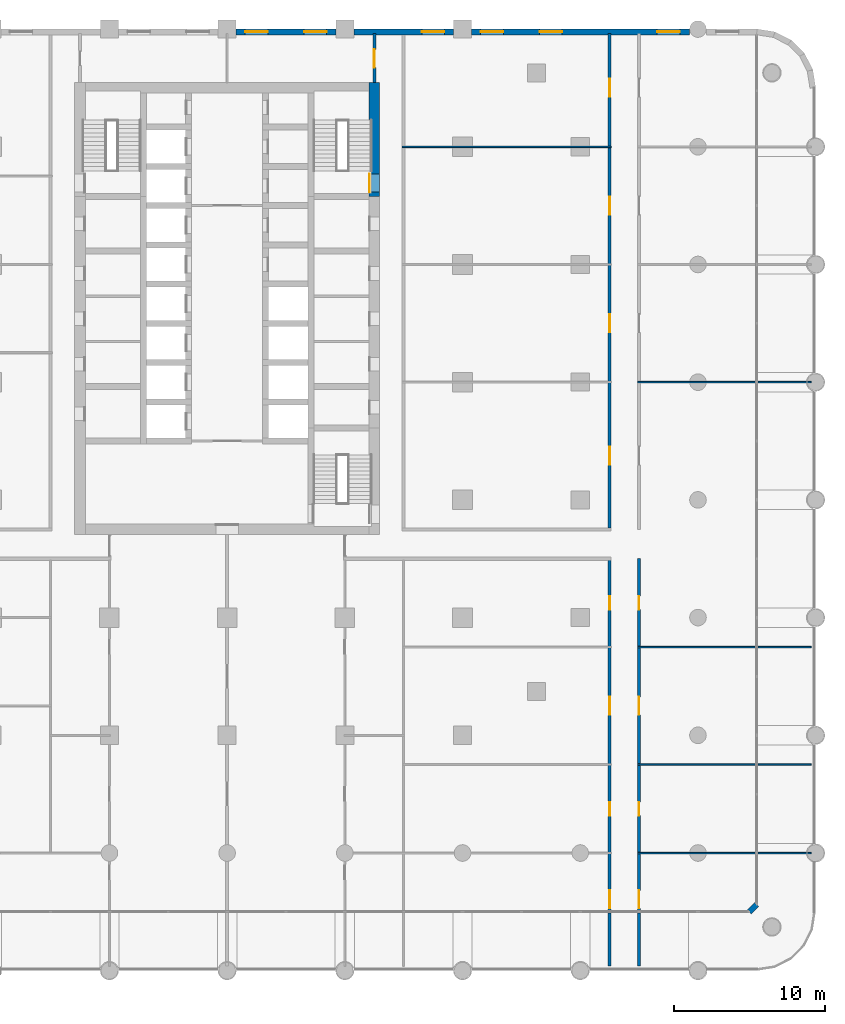
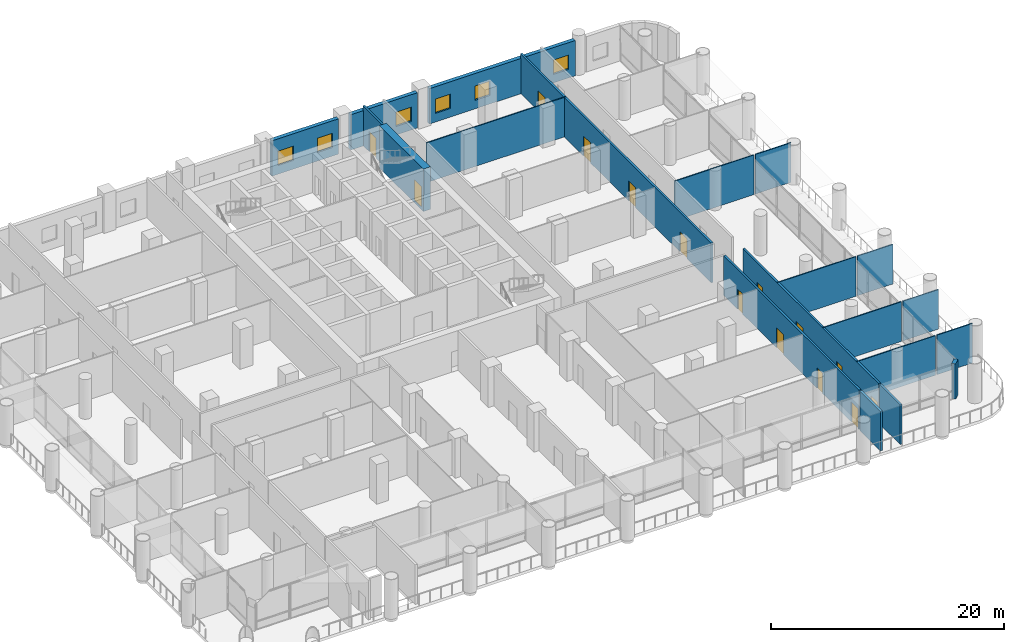
# One storey, part 14 of 23: 20 walls, 14 doors, 6 windows, 20 openings.
"""IFC4 building model written with IfcOpenShell, lengths in metres."""

from ifc_helpers import new_model, si_unit, direction, frame, frame_2d, origin, place, context, subcontext, project, spatial, rectangle, extrude, material, layer, layer_set, type_object, element, fill, save


model = new_model("IFC4")

# Units and contexts
model_context = context("Model", 3, precision=1e-05, world=origin(), true_north=direction((0.0, 1.0)))
body_context = subcontext(model_context, "Body", "Model", "MODEL_VIEW")
ifc_project = project(units=[si_unit("LENGTHUNIT", "METRE"), si_unit("AREAUNIT", "SQUARE_METRE"), si_unit("VOLUMEUNIT", "CUBIC_METRE"), si_unit("PLANEANGLEUNIT", "RADIAN"), si_unit("MASSUNIT", "GRAM", prefix="KILO")], contexts=[model_context])

# Site, building, storey
site_placement = place(None, origin())
site = spatial("IfcSite", under=ifc_project, at=site_placement, CompositionType="ELEMENT")
building_placement = place(site_placement, origin())
building = spatial("IfcBuilding", under=site, at=building_placement, Name="Ludao Terraces", CompositionType="ELEMENT")
storey_placement = place(building_placement, frame((0.0, 0.0, 10.5)))
storey = spatial("IfcBuildingStorey", under=building, at=storey_placement, Name="L02", CompositionType="ELEMENT", Elevation=10.5)

# Wall, opening, door
ifc_material_1 = material(Name="Concrete C70", Category="concrete")
ifc_layer_1 = layer(ifc_material_1, 0.699951171875)
ifc_layer_set_1 = layer_set([ifc_layer_1], Name="Core wall 700 C70")
wall_type_1 = type_object("IfcWallType", Name="Core wall 700 C70", PredefinedType="SOLIDWALL", material=ifc_layer_set_1)
wall_1_placement = place(storey_placement, frame((94.75, 77.300048828125, -0.300048828125), z_axis=(0.0, 0.0, 1.0), x_axis=(0.0, 1.0, 0.0)))
wall_1 = element("IfcWall", 1, at=wall_1_placement, inside=storey, type_object=wall_type_1, Name="Core wall L02 outer-E-S2", PredefinedType="SOLIDWALL", context=body_context, shape_type="SweptSolid", body=[
    extrude(rectangle(XDim=7.550048828125, YDim=0.699951171875, at=frame_2d((3.77490234375, 0.0))), origin(), (0.0, 0.0, 1.0), 4.449951171875),
])
opening_1_placement = place(wall_1_placement, frame((0.300048828125, 0.0, 0.300048828125)))
opening_1 = element("IfcOpeningElement", 2, at=opening_1_placement, cuts=wall_1, Name="Opening L02-065", PredefinedType="OPENING", context=body_context, shape_type="SweptSolid", body=[
    extrude(rectangle(XDim=1.199951171875, YDim=2.10009765625, at=frame_2d((0.60009765625, 1.050048828125))), frame((0.0, 0.35986328125, 0.0), z_axis=(0.0, -1.0, 0.0), x_axis=(1.0, 0.0, 0.0)), (0.0, 0.0, 1.0), 0.719970703125),
])
ifc_material_2 = material(Name="Steel Q235", Category="steel")
door_type_1 = type_object("IfcDoorType", Name="INT Stair door 1200", OperationType="DOUBLE_DOOR_SINGLE_SWING", PredefinedType="DOOR", material=ifc_material_2)
door_1_placement = place(opening_1_placement, origin())
door_1 = element("IfcDoor", 3, at=door_1_placement, inside=storey, type_object=door_type_1, Name="DOOR 065", OperationType="DOUBLE_DOOR_SINGLE_SWING", OverallHeight=2.10009765625, OverallWidth=1.199951171875, PredefinedType="DOOR", context=body_context, shape_type="SweptSolid", body=[
    extrude(rectangle(XDim=1.199951171875, YDim=2.10009765625, at=frame_2d((0.60009765625, 1.050048828125))), frame((0.0, 0.3349609375, 0.0), z_axis=(0.0, -1.0, 0.0), x_axis=(1.0, 0.0, 0.0)), (0.0, 0.0, 1.0), 0.050048828125),
])
fill(opening_1, door_1)

# Wall
ifc_material_3 = material(Name="Granite cladding", Category="masonry")
ifc_layer_2 = layer(ifc_material_3, 0.06005859375, Category="stone")
ifc_material_4 = material(Name="Mineral wool")
ifc_layer_3 = layer(ifc_material_4, 0.06005859375)
ifc_material_5 = material(Name="Concrete C40", Category="concrete")
ifc_layer_4 = layer(ifc_material_5, 0.260009765625, Category="concrete")
ifc_layer_set_2 = layer_set([ifc_layer_2, ifc_layer_3, ifc_layer_4], Name="ENV Stone-clad wall 380")
wall_type_2 = type_object("IfcWallType", Name="ENV Stone-clad wall 380", PredefinedType="SOLIDWALL", material=ifc_layer_set_2)
wall_2_placement = place(storey_placement, frame((119.60009765625, 29.89990234375, 0.0), z_axis=(0.0, 0.0, 1.0), x_axis=(0.707106781187, 0.707106781187, 0.0)))
element("IfcWall", 4, at=wall_2_placement, inside=storey, type_object=wall_type_2, Name="EW-L02-SE", PredefinedType="SOLIDWALL", context=body_context, shape_type="SweptSolid", body=[
    extrude(rectangle(XDim=0.70703125, YDim=0.3798828125, at=frame_2d((0.353515625, 0.0))), origin(), (0.0, 0.0, 1.0), 3.699951171875),
])

# Wall, openings, windows
wall_3_placement = place(storey_placement, frame((85.60009765625, 88.2099609375, 0.0), z_axis=(0.0, 0.0, 1.0), x_axis=(1.0, 0.0, 0.0)))
wall_3 = element("IfcWall", 5, at=wall_3_placement, inside=storey, type_object=wall_type_2, Name="EW-L02-N5", PredefinedType="SOLIDWALL", context=body_context, shape_type="SweptSolid", body=[
    extrude(rectangle(XDim=6.599853515625, YDim=0.3798828125, at=frame_2d((3.2998046875, 0.0))), origin(), (0.0, 0.0, 1.0), 3.699951171875),
])
opening_2_placement = place(wall_3_placement, frame((0.60009765625, 0.0, 0.89990234375)))
opening_2 = element("IfcOpeningElement", 6, at=opening_2_placement, cuts=wall_3, Name="Opening W5", PredefinedType="OPENING", context=body_context, shape_type="SweptSolid", body=[
    extrude(rectangle(XDim=1.5, YDim=1.5, at=frame_2d((0.75, 0.75))), frame((0.0, 0.199951171875, 0.0), z_axis=(0.0, -1.0, 0.0), x_axis=(1.0, 0.0, 0.0)), (0.0, 0.0, 1.0), 0.39990234375),
])
opening_3_placement = place(wall_3_placement, frame((4.5, 0.0, 0.89990234375)))
opening_3 = element("IfcOpeningElement", 7, at=opening_3_placement, cuts=wall_3, Name="Opening W5", PredefinedType="OPENING", context=body_context, shape_type="SweptSolid", body=[
    extrude(rectangle(XDim=1.5, YDim=1.5, at=frame_2d((0.75, 0.75))), frame((0.0, 0.199951171875, 0.0), z_axis=(0.0, -1.0, 0.0), x_axis=(1.0, 0.0, 0.0)), (0.0, 0.0, 1.0), 0.39990234375),
])
ifc_material_6 = material(Name="Clear glass in aluminium frame", Category="aluminium")
ifc_layer_5 = layer(ifc_material_6, 0.06005859375)
ifc_layer_set_3 = layer_set([ifc_layer_5], Name="ENV Window W5 1500x1500")
window_type = type_object("IfcWindowType", Name="ENV Window W5 1500x1500", PartitioningType="SINGLE_PANEL", PredefinedType="WINDOW", material=ifc_layer_set_3)
window_1_placement = place(opening_2_placement, origin())
window_1 = element("IfcWindow", 8, at=window_1_placement, inside=storey, type_object=window_type, Name="W-L02-N5-1", OverallHeight=1.5, OverallWidth=1.5, PartitioningType="SINGLE_PANEL", PredefinedType="WINDOW", context=body_context, shape_type="SweptSolid", body=[
    extrude(rectangle(XDim=1.5, YDim=1.5, at=frame_2d((0.75, 0.75))), frame((0.0, 0.030029296875, 0.0), z_axis=(0.0, -1.0, 0.0), x_axis=(1.0, 0.0, 0.0)), (0.0, 0.0, 1.0), 0.06005859375),
])
fill(opening_2, window_1)
window_2_placement = place(opening_3_placement, origin())
window_2 = element("IfcWindow", 9, at=window_2_placement, inside=storey, type_object=window_type, Name="W-L02-N5-2", OverallHeight=1.5, OverallWidth=1.5, PartitioningType="SINGLE_PANEL", PredefinedType="WINDOW", context=body_context, shape_type="SweptSolid", body=[
    extrude(rectangle(XDim=1.5, YDim=1.5, at=frame_2d((0.75, 0.75))), frame((0.0, 0.030029296875, 0.0), z_axis=(0.0, -1.0, 0.0), x_axis=(1.0, 0.0, 0.0)), (0.0, 0.0, 1.0), 0.06005859375),
])
fill(opening_3, window_2)

# Wall, opening, window
wall_4_placement = place(storey_placement, frame((93.39990234375, 88.2099609375, 0.0), z_axis=(0.0, 0.0, 1.0), x_axis=(1.0, 0.0, 0.0)))
wall_4 = element("IfcWall", 10, at=wall_4_placement, inside=storey, type_object=wall_type_2, Name="EW-L02-N6", PredefinedType="SOLIDWALL", context=body_context, shape_type="SweptSolid", body=[
    extrude(rectangle(XDim=6.60009765625, YDim=0.3798828125, at=frame_2d((3.300048828125, 0.0))), origin(), (0.0, 0.0, 1.0), 3.699951171875),
])
opening_4_placement = place(wall_4_placement, frame((4.5, 0.0, 0.89990234375)))
opening_4 = element("IfcOpeningElement", 11, at=opening_4_placement, cuts=wall_4, Name="Opening W5", PredefinedType="OPENING", context=body_context, shape_type="SweptSolid", body=[
    extrude(rectangle(XDim=1.5, YDim=1.5, at=frame_2d((0.75, 0.75))), frame((0.0, 0.199951171875, 0.0), z_axis=(0.0, -1.0, 0.0), x_axis=(1.0, 0.0, 0.0)), (0.0, 0.0, 1.0), 0.39990234375),
])
window_3_placement = place(opening_4_placement, origin())
window_3 = element("IfcWindow", 12, at=window_3_placement, inside=storey, type_object=window_type, Name="W-L02-N6-1", OverallHeight=1.5, OverallWidth=1.5, PartitioningType="SINGLE_PANEL", PredefinedType="WINDOW", context=body_context, shape_type="SweptSolid", body=[
    extrude(rectangle(XDim=1.5, YDim=1.5, at=frame_2d((0.75, 0.75))), frame((0.0, 0.030029296875, 0.0), z_axis=(0.0, -1.0, 0.0), x_axis=(1.0, 0.0, 0.0)), (0.0, 0.0, 1.0), 0.06005859375),
])
fill(opening_4, window_3)

# Wall, openings, windows
wall_5_placement = place(storey_placement, frame((101.199951171875, 88.2099609375, 0.0), z_axis=(0.0, 0.0, 1.0), x_axis=(1.0, 0.0, 0.0)))
wall_5 = element("IfcWall", 13, at=wall_5_placement, inside=storey, type_object=wall_type_2, Name="EW-L02-N7", PredefinedType="SOLIDWALL", context=body_context, shape_type="SweptSolid", body=[
    extrude(rectangle(XDim=14.449951171875, YDim=0.3798828125, at=frame_2d((7.22509765625, 0.0))), origin(), (0.0, 0.0, 1.0), 3.699951171875),
])
opening_5_placement = place(wall_5_placement, frame((0.60009765625, 0.0, 0.89990234375)))
opening_5 = element("IfcOpeningElement", 14, at=opening_5_placement, cuts=wall_5, Name="Opening W5", PredefinedType="OPENING", context=body_context, shape_type="SweptSolid", body=[
    extrude(rectangle(XDim=1.5, YDim=1.5, at=frame_2d((0.75, 0.75))), frame((0.0, 0.199951171875, 0.0), z_axis=(0.0, -1.0, 0.0), x_axis=(1.0, 0.0, 0.0)), (0.0, 0.0, 1.0), 0.39990234375),
])
opening_6_placement = place(wall_5_placement, frame((4.5, 0.0, 0.89990234375)))
opening_6 = element("IfcOpeningElement", 15, at=opening_6_placement, cuts=wall_5, Name="Opening W5", PredefinedType="OPENING", context=body_context, shape_type="SweptSolid", body=[
    extrude(rectangle(XDim=1.5, YDim=1.5, at=frame_2d((0.75, 0.75))), frame((0.0, 0.199951171875, 0.0), z_axis=(0.0, -1.0, 0.0), x_axis=(1.0, 0.0, 0.0)), (0.0, 0.0, 1.0), 0.39990234375),
])
opening_7_placement = place(wall_5_placement, frame((12.300048828125, 0.0, 0.89990234375)))
opening_7 = element("IfcOpeningElement", 16, at=opening_7_placement, cuts=wall_5, Name="Opening W5", PredefinedType="OPENING", context=body_context, shape_type="SweptSolid", body=[
    extrude(rectangle(XDim=1.5, YDim=1.5, at=frame_2d((0.75, 0.75))), frame((0.0, 0.199951171875, 0.0), z_axis=(0.0, -1.0, 0.0), x_axis=(1.0, 0.0, 0.0)), (0.0, 0.0, 1.0), 0.39990234375),
])
window_4_placement = place(opening_5_placement, origin())
window_4 = element("IfcWindow", 17, at=window_4_placement, inside=storey, type_object=window_type, Name="W-L02-N7-1", OverallHeight=1.5, OverallWidth=1.5, PartitioningType="SINGLE_PANEL", PredefinedType="WINDOW", context=body_context, shape_type="SweptSolid", body=[
    extrude(rectangle(XDim=1.5, YDim=1.5, at=frame_2d((0.75, 0.75))), frame((0.0, 0.030029296875, 0.0), z_axis=(0.0, -1.0, 0.0), x_axis=(1.0, 0.0, 0.0)), (0.0, 0.0, 1.0), 0.06005859375),
])
fill(opening_5, window_4)
window_5_placement = place(opening_6_placement, origin())
window_5 = element("IfcWindow", 18, at=window_5_placement, inside=storey, type_object=window_type, Name="W-L02-N7-2", OverallHeight=1.5, OverallWidth=1.5, PartitioningType="SINGLE_PANEL", PredefinedType="WINDOW", context=body_context, shape_type="SweptSolid", body=[
    extrude(rectangle(XDim=1.5, YDim=1.5, at=frame_2d((0.75, 0.75))), frame((0.0, 0.030029296875, 0.0), z_axis=(0.0, -1.0, 0.0), x_axis=(1.0, 0.0, 0.0)), (0.0, 0.0, 1.0), 0.06005859375),
])
fill(opening_6, window_5)
window_6_placement = place(opening_7_placement, origin())
window_6 = element("IfcWindow", 19, at=window_6_placement, inside=storey, type_object=window_type, Name="W-L02-N7-3", OverallHeight=1.5, OverallWidth=1.5, PartitioningType="SINGLE_PANEL", PredefinedType="WINDOW", context=body_context, shape_type="SweptSolid", body=[
    extrude(rectangle(XDim=1.5, YDim=1.5, at=frame_2d((0.75, 0.75))), frame((0.0, 0.030029296875, 0.0), z_axis=(0.0, -1.0, 0.0), x_axis=(1.0, 0.0, 0.0)), (0.0, 0.0, 1.0), 0.06005859375),
])
fill(opening_7, window_6)

# Wall, opening, door
ifc_material_7 = material(Name="Autoclaved aerated concrete block B06 A3.5", Category="concrete")
ifc_layer_6 = layer(ifc_material_7, 0.199951171875)
ifc_layer_set_4 = layer_set([ifc_layer_6], Name="INT Entrance wall 200")
wall_type_3 = type_object("IfcWallType", Name="INT Entrance wall 200", PredefinedType="PARTITIONING", material=ifc_layer_set_4)
wall_6_placement = place(storey_placement, frame((94.75, 84.85009765625, 0.0), z_axis=(0.0, 0.0, 1.0), x_axis=(0.0, 1.0, 0.0)))
wall_6 = element("IfcWall", 20, at=wall_6_placement, inside=storey, type_object=wall_type_3, Name="PW-L02-PW066", PredefinedType="PARTITIONING", context=body_context, shape_type="SweptSolid", body=[
    extrude(rectangle(XDim=3.25, YDim=0.199951171875, at=frame_2d((1.625, 0.0))), origin(), (0.0, 0.0, 1.0), 4.14990234375),
])
opening_8_placement = place(wall_6_placement, frame((1.0, 0.0, 0.0)))
opening_8 = element("IfcOpeningElement", 21, at=opening_8_placement, cuts=wall_6, Name="Opening L02-075", PredefinedType="OPENING", context=body_context, shape_type="SweptSolid", body=[
    extrude(rectangle(XDim=1.199951171875, YDim=2.10009765625, at=frame_2d((0.60009765625, 1.050048828125))), frame((0.0, 0.10986328125, 0.0), z_axis=(0.0, -1.0, 0.0), x_axis=(1.0, 0.0, 0.0)), (0.0, 0.0, 1.0), 0.219970703125),
])
ifc_material_8 = material(Name="Timber door leaf", Category="wood")
door_type_2 = type_object("IfcDoorType", Name="INT Double door 1200", OperationType="DOUBLE_DOOR_SINGLE_SWING", PredefinedType="DOOR", material=ifc_material_8)
door_2_placement = place(opening_8_placement, origin())
door_2 = element("IfcDoor", 22, at=door_2_placement, inside=storey, type_object=door_type_2, Name="DOOR 075", OperationType="DOUBLE_DOOR_SINGLE_SWING", OverallHeight=2.10009765625, OverallWidth=1.199951171875, PredefinedType="DOOR", context=body_context, shape_type="SweptSolid", body=[
    extrude(rectangle(XDim=1.199951171875, YDim=2.10009765625, at=frame_2d((0.60009765625, 1.050048828125))), frame((0.0, 0.02490234375, 0.0), z_axis=(0.0, -1.0, 0.0), x_axis=(1.0, 0.0, 0.0)), (0.0, 0.0, 1.0), 0.050048828125),
])
fill(opening_8, door_2)

# Wall
wall_7_placement = place(storey_placement, frame((110.35009765625, 26.300048828125, 0.0), z_axis=(0.0, 0.0, 1.0), x_axis=(0.0, 1.0, 0.0)))
element("IfcWall", 23, at=wall_7_placement, inside=storey, type_object=wall_type_3, Name="PW-L02-PW070", PredefinedType="PARTITIONING", context=body_context, shape_type="SweptSolid", body=[
    extrude(rectangle(XDim=3.52001953125, YDim=0.199951171875, at=frame_2d((1.760009765625, 0.0))), origin(), (0.0, 0.0, 1.0), 4.14990234375),
])

# Wall, openings, doors
wall_8_placement = place(storey_placement, frame((110.35009765625, 29.97998046875, 0.0), z_axis=(0.0, 0.0, 1.0), x_axis=(0.0, 1.0, 0.0)))
wall_8 = element("IfcWall", 24, at=wall_8_placement, inside=storey, type_object=wall_type_3, Name="PW-L02-PW071", PredefinedType="PARTITIONING", context=body_context, shape_type="SweptSolid", body=[
    extrude(rectangle(XDim=23.22021484375, YDim=0.199951171875, at=frame_2d((11.610107421875, 0.0))), origin(), (0.0, 0.0, 1.0), 4.14990234375),
])
opening_9_placement = place(wall_8_placement, frame((0.14990234375, 0.0, 0.0)))
opening_9 = element("IfcOpeningElement", 25, at=opening_9_placement, cuts=wall_8, Name="Opening L02-003", PredefinedType="OPENING", context=body_context, shape_type="SweptSolid", body=[
    extrude(rectangle(XDim=1.199951171875, YDim=2.10009765625, at=frame_2d((0.60009765625, 1.050048828125))), frame((0.0, 0.10986328125, 0.0), z_axis=(0.0, -1.0, 0.0), x_axis=(1.0, 0.0, 0.0)), (0.0, 0.0, 1.0), 0.219970703125),
])
opening_10_placement = place(wall_8_placement, frame((6.294921875, 0.0, 0.0)))
opening_10 = element("IfcOpeningElement", 26, at=opening_10_placement, cuts=wall_8, Name="Opening L02-007", PredefinedType="OPENING", context=body_context, shape_type="SweptSolid", body=[
    extrude(rectangle(XDim=0.89990234375, YDim=2.10009765625, at=frame_2d((0.449951171875, 1.050048828125))), frame((0.0, 0.10986328125, 0.0), z_axis=(0.0, -1.0, 0.0), x_axis=(1.0, 0.0, 0.0)), (0.0, 0.0, 1.0), 0.219970703125),
])
opening_11_placement = place(wall_8_placement, frame((12.969970703125, 0.0, 0.0)))
opening_11 = element("IfcOpeningElement", 27, at=opening_11_placement, cuts=wall_8, Name="Opening L02-014", PredefinedType="OPENING", context=body_context, shape_type="SweptSolid", body=[
    extrude(rectangle(XDim=1.199951171875, YDim=2.10009765625, at=frame_2d((0.60009765625, 1.050048828125))), frame((0.0, 0.10986328125, 0.0), z_axis=(0.0, -1.0, 0.0), x_axis=(1.0, 0.0, 0.0)), (0.0, 0.0, 1.0), 0.219970703125),
])
opening_12_placement = place(wall_8_placement, frame((19.945068359375, 0.0, 0.0)))
opening_12 = element("IfcOpeningElement", 28, at=opening_12_placement, cuts=wall_8, Name="Opening L02-021", PredefinedType="OPENING", context=body_context, shape_type="SweptSolid", body=[
    extrude(rectangle(XDim=0.89990234375, YDim=2.10009765625, at=frame_2d((0.449951171875, 1.050048828125))), frame((0.0, 0.10986328125, 0.0), z_axis=(0.0, -1.0, 0.0), x_axis=(1.0, 0.0, 0.0)), (0.0, 0.0, 1.0), 0.219970703125),
])
door_3_placement = place(opening_9_placement, origin())
door_3 = element("IfcDoor", 29, at=door_3_placement, inside=storey, type_object=door_type_2, Name="DOOR 003", OperationType="DOUBLE_DOOR_SINGLE_SWING", OverallHeight=2.10009765625, OverallWidth=1.199951171875, PredefinedType="DOOR", context=body_context, shape_type="SweptSolid", body=[
    extrude(rectangle(XDim=1.199951171875, YDim=2.10009765625, at=frame_2d((0.60009765625, 1.050048828125))), frame((0.0, 0.02490234375, 0.0), z_axis=(0.0, -1.0, 0.0), x_axis=(1.0, 0.0, 0.0)), (0.0, 0.0, 1.0), 0.050048828125),
])
fill(opening_9, door_3)
door_4_placement = place(opening_11_placement, origin())
door_4 = element("IfcDoor", 30, at=door_4_placement, inside=storey, type_object=door_type_2, Name="DOOR 014", OperationType="DOUBLE_DOOR_SINGLE_SWING", OverallHeight=2.10009765625, OverallWidth=1.199951171875, PredefinedType="DOOR", context=body_context, shape_type="SweptSolid", body=[
    extrude(rectangle(XDim=1.199951171875, YDim=2.10009765625, at=frame_2d((0.60009765625, 1.050048828125))), frame((0.0, 0.02490234375, 0.0), z_axis=(0.0, -1.0, 0.0), x_axis=(1.0, 0.0, 0.0)), (0.0, 0.0, 1.0), 0.050048828125),
])
fill(opening_11, door_4)
door_type_3 = type_object("IfcDoorType", Name="INT Room door 900", OperationType="SINGLE_SWING_LEFT", PredefinedType="DOOR", material=ifc_material_8)
door_5_placement = place(opening_10_placement, origin())
door_5 = element("IfcDoor", 31, at=door_5_placement, inside=storey, type_object=door_type_3, Name="DOOR 007", OperationType="SINGLE_SWING_LEFT", OverallHeight=2.10009765625, OverallWidth=0.89990234375, PredefinedType="DOOR", context=body_context, shape_type="SweptSolid", body=[
    extrude(rectangle(XDim=0.89990234375, YDim=2.10009765625, at=frame_2d((0.449951171875, 1.050048828125))), frame((0.0, 0.02490234375, 0.0), z_axis=(0.0, -1.0, 0.0), x_axis=(1.0, 0.0, 0.0)), (0.0, 0.0, 1.0), 0.050048828125),
])
fill(opening_10, door_5)
door_6_placement = place(opening_12_placement, origin())
door_6 = element("IfcDoor", 32, at=door_6_placement, inside=storey, type_object=door_type_3, Name="DOOR 021", OperationType="SINGLE_SWING_RIGHT", OverallHeight=2.10009765625, OverallWidth=0.89990234375, PredefinedType="DOOR", context=body_context, shape_type="SweptSolid", body=[
    extrude(rectangle(XDim=0.89990234375, YDim=2.10009765625, at=frame_2d((0.449951171875, 1.050048828125))), frame((0.0, 0.02490234375, 0.0), z_axis=(0.0, -1.0, 0.0), x_axis=(1.0, 0.0, 0.0)), (0.0, 0.0, 1.0), 0.050048828125),
])
fill(opening_12, door_6)

wall_9_placement = place(storey_placement, frame((110.35009765625, 55.35009765625, 0.0), z_axis=(0.0, 0.0, 1.0), x_axis=(0.0, 1.0, 0.0)))
wall_9 = element("IfcWall", 33, at=wall_9_placement, inside=storey, type_object=wall_type_3, Name="PW-L02-PW072", PredefinedType="PARTITIONING", context=body_context, shape_type="SweptSolid", body=[
    extrude(rectangle(XDim=32.75, YDim=0.199951171875, at=frame_2d((16.375, 0.0))), origin(), (0.0, 0.0, 1.0), 4.14990234375),
])
opening_13_placement = place(wall_9_placement, frame((4.175048828125, 0.0, 0.0)))
opening_13 = element("IfcOpeningElement", 34, at=opening_13_placement, cuts=wall_9, Name="Opening L02-030", PredefinedType="OPENING", context=body_context, shape_type="SweptSolid", body=[
    extrude(rectangle(XDim=1.199951171875, YDim=2.10009765625, at=frame_2d((0.60009765625, 1.050048828125))), frame((0.0, 0.10986328125, 0.0), z_axis=(0.0, -1.0, 0.0), x_axis=(1.0, 0.0, 0.0)), (0.0, 0.0, 1.0), 0.219970703125),
])
opening_14_placement = place(wall_9_placement, frame((12.949951171875, 0.0, 0.0)))
opening_14 = element("IfcOpeningElement", 35, at=opening_14_placement, cuts=wall_9, Name="Opening L02-042", PredefinedType="OPENING", context=body_context, shape_type="SweptSolid", body=[
    extrude(rectangle(XDim=1.199951171875, YDim=2.10009765625, at=frame_2d((0.60009765625, 1.050048828125))), frame((0.0, 0.10986328125, 0.0), z_axis=(0.0, -1.0, 0.0), x_axis=(1.0, 0.0, 0.0)), (0.0, 0.0, 1.0), 0.219970703125),
])
opening_15_placement = place(wall_9_placement, frame((20.75, 0.0, 0.0)))
opening_15 = element("IfcOpeningElement", 36, at=opening_15_placement, cuts=wall_9, Name="Opening L02-060", PredefinedType="OPENING", context=body_context, shape_type="SweptSolid", body=[
    extrude(rectangle(XDim=1.199951171875, YDim=2.10009765625, at=frame_2d((0.60009765625, 1.050048828125))), frame((0.0, 0.10986328125, 0.0), z_axis=(0.0, -1.0, 0.0), x_axis=(1.0, 0.0, 0.0)), (0.0, 0.0, 1.0), 0.219970703125),
])
opening_16_placement = place(wall_9_placement, frame((28.550048828125, 0.0, 0.0)))
opening_16 = element("IfcOpeningElement", 37, at=opening_16_placement, cuts=wall_9, Name="Opening L02-072", PredefinedType="OPENING", context=body_context, shape_type="SweptSolid", body=[
    extrude(rectangle(XDim=1.199951171875, YDim=2.10009765625, at=frame_2d((0.60009765625, 1.050048828125))), frame((0.0, 0.10986328125, 0.0), z_axis=(0.0, -1.0, 0.0), x_axis=(1.0, 0.0, 0.0)), (0.0, 0.0, 1.0), 0.219970703125),
])
door_7_placement = place(opening_13_placement, origin())
door_7 = element("IfcDoor", 38, at=door_7_placement, inside=storey, type_object=door_type_2, Name="DOOR 030", OperationType="DOUBLE_DOOR_SINGLE_SWING", OverallHeight=2.10009765625, OverallWidth=1.199951171875, PredefinedType="DOOR", context=body_context, shape_type="SweptSolid", body=[
    extrude(rectangle(XDim=1.199951171875, YDim=2.10009765625, at=frame_2d((0.60009765625, 1.050048828125))), frame((0.0, 0.02490234375, 0.0), z_axis=(0.0, -1.0, 0.0), x_axis=(1.0, 0.0, 0.0)), (0.0, 0.0, 1.0), 0.050048828125),
])
fill(opening_13, door_7)
door_8_placement = place(opening_14_placement, origin())
door_8 = element("IfcDoor", 39, at=door_8_placement, inside=storey, type_object=door_type_2, Name="DOOR 042", OperationType="DOUBLE_DOOR_SINGLE_SWING", OverallHeight=2.10009765625, OverallWidth=1.199951171875, PredefinedType="DOOR", context=body_context, shape_type="SweptSolid", body=[
    extrude(rectangle(XDim=1.199951171875, YDim=2.10009765625, at=frame_2d((0.60009765625, 1.050048828125))), frame((0.0, 0.02490234375, 0.0), z_axis=(0.0, -1.0, 0.0), x_axis=(1.0, 0.0, 0.0)), (0.0, 0.0, 1.0), 0.050048828125),
])
fill(opening_14, door_8)
door_9_placement = place(opening_15_placement, origin())
door_9 = element("IfcDoor", 40, at=door_9_placement, inside=storey, type_object=door_type_2, Name="DOOR 060", OperationType="DOUBLE_DOOR_SINGLE_SWING", OverallHeight=2.10009765625, OverallWidth=1.199951171875, PredefinedType="DOOR", context=body_context, shape_type="SweptSolid", body=[
    extrude(rectangle(XDim=1.199951171875, YDim=2.10009765625, at=frame_2d((0.60009765625, 1.050048828125))), frame((0.0, 0.02490234375, 0.0), z_axis=(0.0, -1.0, 0.0), x_axis=(1.0, 0.0, 0.0)), (0.0, 0.0, 1.0), 0.050048828125),
])
fill(opening_15, door_9)
door_10_placement = place(opening_16_placement, origin())
door_10 = element("IfcDoor", 41, at=door_10_placement, inside=storey, type_object=door_type_2, Name="DOOR 072", OperationType="DOUBLE_DOOR_SINGLE_SWING", OverallHeight=2.10009765625, OverallWidth=1.199951171875, PredefinedType="DOOR", context=body_context, shape_type="SweptSolid", body=[
    extrude(rectangle(XDim=1.199951171875, YDim=2.10009765625, at=frame_2d((0.60009765625, 1.050048828125))), frame((0.0, 0.02490234375, 0.0), z_axis=(0.0, -1.0, 0.0), x_axis=(1.0, 0.0, 0.0)), (0.0, 0.0, 1.0), 0.050048828125),
])
fill(opening_16, door_10)

# Wall
wall_10_placement = place(storey_placement, frame((112.300048828125, 26.300048828125, 0.0), z_axis=(0.0, 0.0, 1.0), x_axis=(0.0, 1.0, 0.0)))
element("IfcWall", 42, at=wall_10_placement, inside=storey, type_object=wall_type_3, Name="PW-L02-PW073", PredefinedType="PARTITIONING", context=body_context, shape_type="SweptSolid", body=[
    extrude(rectangle(XDim=3.52001953125, YDim=0.199951171875, at=frame_2d((1.760009765625, 0.0))), origin(), (0.0, 0.0, 1.0), 4.14990234375),
])

# Wall, openings, doors
wall_11_placement = place(storey_placement, frame((112.300048828125, 29.97998046875, 0.0), z_axis=(0.0, 0.0, 1.0), x_axis=(0.0, 1.0, 0.0)))
wall_11 = element("IfcWall", 43, at=wall_11_placement, inside=storey, type_object=wall_type_3, Name="PW-L02-PW074", PredefinedType="PARTITIONING", context=body_context, shape_type="SweptSolid", body=[
    extrude(rectangle(XDim=23.320068359375, YDim=0.199951171875, at=frame_2d((11.66015625, 0.0))), origin(), (0.0, 0.0, 1.0), 4.14990234375),
])
opening_17_placement = place(wall_11_placement, frame((0.14990234375, 0.0, 0.0)))
opening_17 = element("IfcOpeningElement", 44, at=opening_17_placement, cuts=wall_11, Name="Opening L02-004", PredefinedType="OPENING", context=body_context, shape_type="SweptSolid", body=[
    extrude(rectangle(XDim=1.199951171875, YDim=2.10009765625, at=frame_2d((0.60009765625, 1.050048828125))), frame((0.0, 0.10986328125, 0.0), z_axis=(0.0, -1.0, 0.0), x_axis=(1.0, 0.0, 0.0)), (0.0, 0.0, 1.0), 0.219970703125),
])
opening_18_placement = place(wall_11_placement, frame((6.294921875, 0.0, 0.0)))
opening_18 = element("IfcOpeningElement", 45, at=opening_18_placement, cuts=wall_11, Name="Opening L02-008", PredefinedType="OPENING", context=body_context, shape_type="SweptSolid", body=[
    extrude(rectangle(XDim=0.89990234375, YDim=2.10009765625, at=frame_2d((0.449951171875, 1.050048828125))), frame((0.0, 0.10986328125, 0.0), z_axis=(0.0, -1.0, 0.0), x_axis=(1.0, 0.0, 0.0)), (0.0, 0.0, 1.0), 0.219970703125),
])
opening_19_placement = place(wall_11_placement, frame((12.969970703125, 0.0, 0.0)))
opening_19 = element("IfcOpeningElement", 46, at=opening_19_placement, cuts=wall_11, Name="Opening L02-015", PredefinedType="OPENING", context=body_context, shape_type="SweptSolid", body=[
    extrude(rectangle(XDim=1.199951171875, YDim=2.10009765625, at=frame_2d((0.60009765625, 1.050048828125))), frame((0.0, 0.10986328125, 0.0), z_axis=(0.0, -1.0, 0.0), x_axis=(1.0, 0.0, 0.0)), (0.0, 0.0, 1.0), 0.219970703125),
])
opening_20_placement = place(wall_11_placement, frame((19.945068359375, 0.0, 0.0)))
opening_20 = element("IfcOpeningElement", 47, at=opening_20_placement, cuts=wall_11, Name="Opening L02-022", PredefinedType="OPENING", context=body_context, shape_type="SweptSolid", body=[
    extrude(rectangle(XDim=0.89990234375, YDim=2.10009765625, at=frame_2d((0.449951171875, 1.050048828125))), frame((0.0, 0.10986328125, 0.0), z_axis=(0.0, -1.0, 0.0), x_axis=(1.0, 0.0, 0.0)), (0.0, 0.0, 1.0), 0.219970703125),
])
door_11_placement = place(opening_17_placement, origin())
door_11 = element("IfcDoor", 48, at=door_11_placement, inside=storey, type_object=door_type_2, Name="DOOR 004", OperationType="DOUBLE_DOOR_SINGLE_SWING", OverallHeight=2.10009765625, OverallWidth=1.199951171875, PredefinedType="DOOR", context=body_context, shape_type="SweptSolid", body=[
    extrude(rectangle(XDim=1.199951171875, YDim=2.10009765625, at=frame_2d((0.60009765625, 1.050048828125))), frame((0.0, 0.02490234375, 0.0), z_axis=(0.0, -1.0, 0.0), x_axis=(1.0, 0.0, 0.0)), (0.0, 0.0, 1.0), 0.050048828125),
])
fill(opening_17, door_11)
door_12_placement = place(opening_19_placement, origin())
door_12 = element("IfcDoor", 49, at=door_12_placement, inside=storey, type_object=door_type_2, Name="DOOR 015", OperationType="DOUBLE_DOOR_SINGLE_SWING", OverallHeight=2.10009765625, OverallWidth=1.199951171875, PredefinedType="DOOR", context=body_context, shape_type="SweptSolid", body=[
    extrude(rectangle(XDim=1.199951171875, YDim=2.10009765625, at=frame_2d((0.60009765625, 1.050048828125))), frame((0.0, 0.02490234375, 0.0), z_axis=(0.0, -1.0, 0.0), x_axis=(1.0, 0.0, 0.0)), (0.0, 0.0, 1.0), 0.050048828125),
])
fill(opening_19, door_12)
door_13_placement = place(opening_18_placement, origin())
door_13 = element("IfcDoor", 50, at=door_13_placement, inside=storey, type_object=door_type_3, Name="DOOR 008", OperationType="SINGLE_SWING_LEFT", OverallHeight=2.10009765625, OverallWidth=0.89990234375, PredefinedType="DOOR", context=body_context, shape_type="SweptSolid", body=[
    extrude(rectangle(XDim=0.89990234375, YDim=2.10009765625, at=frame_2d((0.449951171875, 1.050048828125))), frame((0.0, 0.02490234375, 0.0), z_axis=(0.0, -1.0, 0.0), x_axis=(1.0, 0.0, 0.0)), (0.0, 0.0, 1.0), 0.050048828125),
])
fill(opening_18, door_13)
door_14_placement = place(opening_20_placement, origin())
door_14 = element("IfcDoor", 51, at=door_14_placement, inside=storey, type_object=door_type_3, Name="DOOR 022", OperationType="SINGLE_SWING_RIGHT", OverallHeight=2.10009765625, OverallWidth=0.89990234375, PredefinedType="DOOR", context=body_context, shape_type="SweptSolid", body=[
    extrude(rectangle(XDim=0.89990234375, YDim=2.10009765625, at=frame_2d((0.449951171875, 1.050048828125))), frame((0.0, 0.02490234375, 0.0), z_axis=(0.0, -1.0, 0.0), x_axis=(1.0, 0.0, 0.0)), (0.0, 0.0, 1.0), 0.050048828125),
])
fill(opening_20, door_14)

# Walls
ifc_material_9 = material(Name="Gypsum plasterboard", Category="gypsum")
ifc_layer_7 = layer(ifc_material_9, 0.012451171875, Category="gypsum")
ifc_layer_8 = layer(ifc_material_4, 0.06005859375, Name="insulation")
ifc_layer_9 = layer(ifc_material_2, 0.014892578125, Name="stud")
ifc_layer_10 = layer(ifc_material_9, 0.012451171875, Category="gypsum")
ifc_layer_set_5 = layer_set([ifc_layer_7, ifc_layer_8, ifc_layer_9, ifc_layer_10], Name="INT Partition 100")
wall_type_4 = type_object("IfcWallType", Name="INT Partition 100", PredefinedType="PARTITIONING", material=ifc_layer_set_5)
wall_12_placement = place(storey_placement, frame((112.2001953125, 33.800048828125, 0.0), z_axis=(0.0, 0.0, 1.0), x_axis=(1.0, 0.0, 0.0)))
element("IfcWall", 52, at=wall_12_placement, inside=storey, type_object=wall_type_4, Name="PW-L02-PW005", PredefinedType="PARTITIONING", context=body_context, shape_type="SweptSolid", body=[
    extrude(rectangle(XDim=7.81982421875, YDim=0.10009765625, at=frame_2d((3.909912109375, 0.0))), origin(), (0.0, 0.0, 1.0), 4.14990234375),
])
wall_13_placement = place(storey_placement, frame((120.179931640625, 33.800048828125, 0.0), z_axis=(0.0, 0.0, 1.0), x_axis=(1.0, 0.0, 0.0)))
element("IfcWall", 53, at=wall_13_placement, inside=storey, type_object=wall_type_4, Name="PW-L02-PW006", PredefinedType="PARTITIONING", context=body_context, shape_type="SweptSolid", body=[
    extrude(rectangle(XDim=3.520263671875, YDim=0.10009765625, at=frame_2d((1.76025390625, 0.0))), origin(), (0.0, 0.0, 1.0), 4.14990234375),
])
wall_14_placement = place(storey_placement, frame((112.2001953125, 39.64990234375, 0.0), z_axis=(0.0, 0.0, 1.0), x_axis=(1.0, 0.0, 0.0)))
element("IfcWall", 54, at=wall_14_placement, inside=storey, type_object=wall_type_4, Name="PW-L02-PW008", PredefinedType="PARTITIONING", context=body_context, shape_type="SweptSolid", body=[
    extrude(rectangle(XDim=7.81982421875, YDim=0.10009765625, at=frame_2d((3.909912109375, 0.0))), origin(), (0.0, 0.0, 1.0), 4.14990234375),
])
wall_15_placement = place(storey_placement, frame((120.179931640625, 39.64990234375, 0.0), z_axis=(0.0, 0.0, 1.0), x_axis=(1.0, 0.0, 0.0)))
element("IfcWall", 55, at=wall_15_placement, inside=storey, type_object=wall_type_4, Name="PW-L02-PW009", PredefinedType="PARTITIONING", context=body_context, shape_type="SweptSolid", body=[
    extrude(rectangle(XDim=3.520263671875, YDim=0.10009765625, at=frame_2d((1.76025390625, 0.0))), origin(), (0.0, 0.0, 1.0), 4.14990234375),
])
wall_16_placement = place(storey_placement, frame((112.2001953125, 47.449951171875, 0.0), z_axis=(0.0, 0.0, 1.0), x_axis=(1.0, 0.0, 0.0)))
element("IfcWall", 56, at=wall_16_placement, inside=storey, type_object=wall_type_4, Name="PW-L02-PW016", PredefinedType="PARTITIONING", context=body_context, shape_type="SweptSolid", body=[
    extrude(rectangle(XDim=7.81982421875, YDim=0.10009765625, at=frame_2d((3.909912109375, 0.0))), origin(), (0.0, 0.0, 1.0), 4.14990234375),
])
wall_17_placement = place(storey_placement, frame((120.179931640625, 47.449951171875, 0.0), z_axis=(0.0, 0.0, 1.0), x_axis=(1.0, 0.0, 0.0)))
element("IfcWall", 57, at=wall_17_placement, inside=storey, type_object=wall_type_4, Name="PW-L02-PW017", PredefinedType="PARTITIONING", context=body_context, shape_type="SweptSolid", body=[
    extrude(rectangle(XDim=3.520263671875, YDim=0.10009765625, at=frame_2d((1.76025390625, 0.0))), origin(), (0.0, 0.0, 1.0), 4.14990234375),
])
wall_18_placement = place(storey_placement, frame((112.2001953125, 65.0, 0.0), z_axis=(0.0, 0.0, 1.0), x_axis=(1.0, 0.0, 0.0)))
element("IfcWall", 58, at=wall_18_placement, inside=storey, type_object=wall_type_4, Name="PW-L02-PW027", PredefinedType="PARTITIONING", context=body_context, shape_type="SweptSolid", body=[
    extrude(rectangle(XDim=7.81982421875, YDim=0.10009765625, at=frame_2d((3.909912109375, 0.0))), origin(), (0.0, 0.0, 1.0), 4.14990234375),
])
wall_19_placement = place(storey_placement, frame((120.179931640625, 65.0, 0.0), z_axis=(0.0, 0.0, 1.0), x_axis=(1.0, 0.0, 0.0)))
element("IfcWall", 59, at=wall_19_placement, inside=storey, type_object=wall_type_4, Name="PW-L02-PW028", PredefinedType="PARTITIONING", context=body_context, shape_type="SweptSolid", body=[
    extrude(rectangle(XDim=3.520263671875, YDim=0.10009765625, at=frame_2d((1.76025390625, 0.0))), origin(), (0.0, 0.0, 1.0), 4.14990234375),
])
wall_20_placement = place(storey_placement, frame((96.60009765625, 80.60009765625, 0.0), z_axis=(0.0, 0.0, 1.0), x_axis=(1.0, 0.0, 0.0)))
element("IfcWall", 60, at=wall_20_placement, inside=storey, type_object=wall_type_4, Name="PW-L02-PW046", PredefinedType="PARTITIONING", context=body_context, shape_type="SweptSolid", body=[
    extrude(rectangle(XDim=13.85009765625, YDim=0.10009765625, at=frame_2d((6.925048828125, 0.0))), origin(), (0.0, 0.0, 1.0), 4.14990234375),
])

save(model, "model.ifc")
